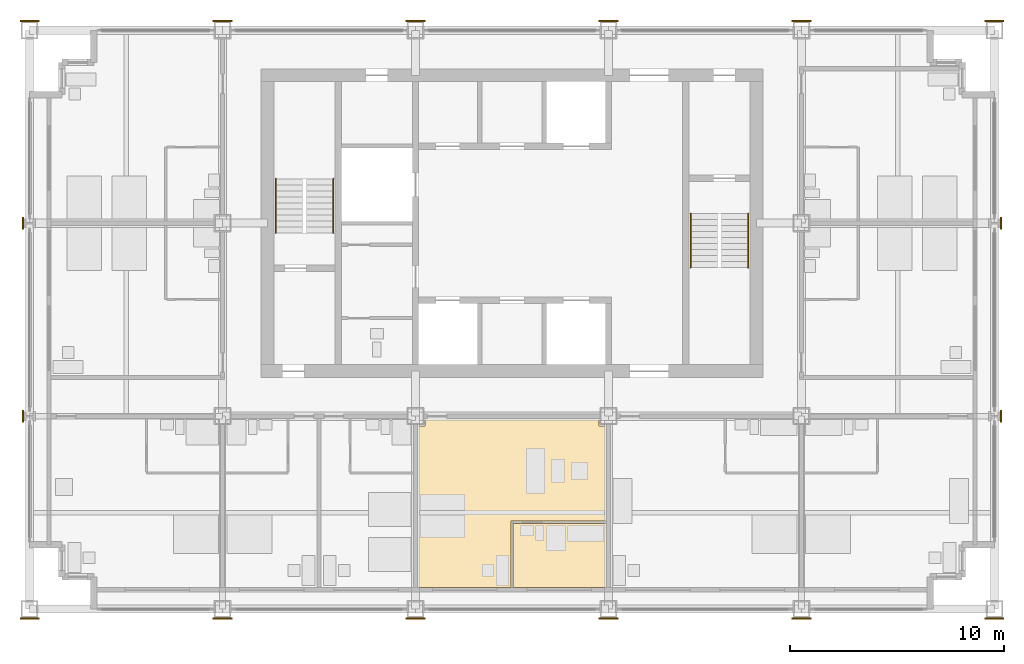
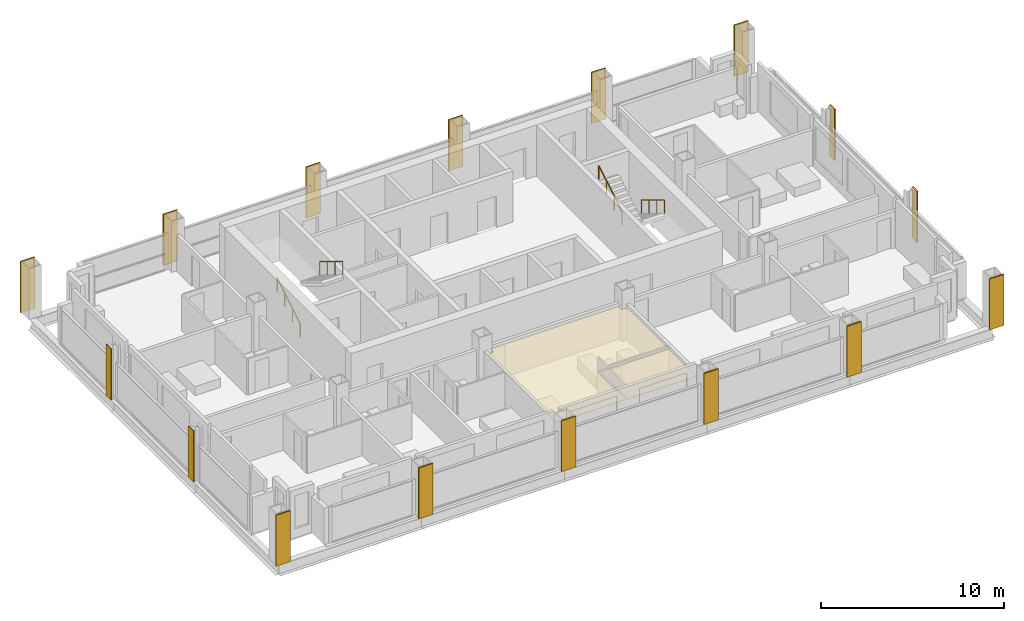
# One storey, part 11 of 13: 18 coverings, 4 railings.
"""IFC4 building model written with IfcOpenShell, lengths in metres."""

from ifc_helpers import new_model, si_unit, direction, frame, origin, origin_2d, place, context, subcontext, project, spatial, polyline, rectangle, circle, outline, extrude, material, layer, layer_set, type_object, element, save


model = new_model("IFC4")

# Units and contexts
model_context = context("Model", 3, precision=1e-05, world=origin(), true_north=direction((0.0, 1.0)))
body_context = subcontext(model_context, "Body", "Model", "MODEL_VIEW")
ifc_project = project(units=[si_unit("LENGTHUNIT", "METRE"), si_unit("AREAUNIT", "SQUARE_METRE"), si_unit("VOLUMEUNIT", "CUBIC_METRE"), si_unit("PLANEANGLEUNIT", "RADIAN"), si_unit("MASSUNIT", "GRAM", prefix="KILO")], contexts=[model_context])

# Site, building, storey
site_placement = place(None, origin())
site = spatial("IfcSite", under=ifc_project, at=site_placement, CompositionType="ELEMENT")
building_placement = place(site_placement, origin())
building = spatial("IfcBuilding", under=site, at=building_placement, Name="Loomwork Tower", CompositionType="ELEMENT")
storey_placement = place(building_placement, frame((0.0, 0.0, 184.199951171875)))
storey = spatial("IfcBuildingStorey", under=building, at=storey_placement, Name="L50", CompositionType="ELEMENT", Elevation=184.199951171875)

# Railings
ifc_material_1 = material(Name="Stainless steel handrail", Category="steel")
railing_type = type_object("IfcRailingType", Name="Handrail 900", PredefinedType="HANDRAIL", material=ifc_material_1)
railing_1_placement = place(storey_placement, frame((11.485107421875, 17.550048828125, 0.170166015625)))
element("IfcRailing", 1, at=railing_1_placement, inside=storey, type_object=railing_type, Name="Stair A handrail flight 1 L50", PredefinedType="HANDRAIL", context=body_context, shape_type="SweptSolid", body=[
    extrude(circle(Radius=0.02392578125, at=origin_2d()), frame((0.0, 0.0, 0.8759765625), z_axis=(0.0, 0.854821627497, 0.518921945155), x_axis=(-1.0, 0.0, 0.0)), (0.0, 0.0, 1.0), 2.947998046875),
    extrude(circle(Radius=0.02099609375, at=origin_2d()), origin(), (0.0, 0.0, 1.0), 0.851806640625),
    extrude(circle(Radius=0.02099609375, at=origin_2d()), frame((0.0, 0.840087890625, 0.510009765625)), (0.0, 0.0, 1.0), 0.851806640625),
    extrude(circle(Radius=0.02099609375, at=origin_2d()), frame((0.0, 1.679931640625, 1.019775390625)), (0.0, 0.0, 1.0), 0.851806640625),
    extrude(circle(Radius=0.02099609375, at=origin_2d()), frame((0.0, 2.52001953125, 1.52978515625)), (0.0, 0.0, 1.0), 0.851806640625),
])
railing_2_placement = place(storey_placement, frame((14.1650390625, 20.070068359375, 1.8701171875)))
element("IfcRailing", 2, at=railing_2_placement, inside=storey, type_object=railing_type, Name="Stair A handrail flight 2 L50", PredefinedType="HANDRAIL", context=body_context, shape_type="SweptSolid", body=[
    extrude(circle(Radius=0.02392578125, at=origin_2d()), frame((0.0, 0.0, 0.8759765625), z_axis=(0.0, -0.85478489116, 0.518982456201), x_axis=(1.0, 0.0, 0.0)), (0.0, 0.0, 1.0), 2.9482421875),
    extrude(circle(Radius=0.02099609375, at=origin_2d()), origin(), (0.0, 0.0, 1.0), 0.851806640625),
    extrude(circle(Radius=0.02099609375, at=origin_2d()), frame((0.0, -0.840087890625, 0.510009765625)), (0.0, 0.0, 1.0), 0.851806640625),
    extrude(circle(Radius=0.02099609375, at=origin_2d()), frame((0.0, -1.679931640625, 1.02001953125)), (0.0, 0.0, 1.0), 0.851806640625),
    extrude(circle(Radius=0.02099609375, at=origin_2d()), frame((0.0, -2.52001953125, 1.530029296875)), (0.0, 0.0, 1.0), 0.851806640625),
])
railing_3_placement = place(storey_placement, frame((33.514892578125, 18.449951171875, 0.170166015625)))
element("IfcRailing", 3, at=railing_3_placement, inside=storey, type_object=railing_type, Name="Stair B handrail flight 1 L50", PredefinedType="HANDRAIL", context=body_context, shape_type="SweptSolid", body=[
    extrude(circle(Radius=0.02392578125, at=origin_2d()), frame((0.0, 0.0, 0.8759765625), z_axis=(0.0, -0.854821627497, 0.518921945155), x_axis=(1.0, 0.0, 0.0)), (0.0, 0.0, 1.0), 2.947998046875),
    extrude(circle(Radius=0.02099609375, at=origin_2d()), origin(), (0.0, 0.0, 1.0), 0.851806640625),
    extrude(circle(Radius=0.02099609375, at=origin_2d()), frame((0.0, -0.840087890625, 0.510009765625)), (0.0, 0.0, 1.0), 0.851806640625),
    extrude(circle(Radius=0.02099609375, at=origin_2d()), frame((0.0, -1.679931640625, 1.019775390625)), (0.0, 0.0, 1.0), 0.851806640625),
    extrude(circle(Radius=0.02099609375, at=origin_2d()), frame((0.0, -2.52001953125, 1.52978515625)), (0.0, 0.0, 1.0), 0.851806640625),
])
railing_4_placement = place(storey_placement, frame((30.8349609375, 15.929931640625, 1.8701171875)))
element("IfcRailing", 4, at=railing_4_placement, inside=storey, type_object=railing_type, Name="Stair B handrail flight 2 L50", PredefinedType="HANDRAIL", context=body_context, shape_type="SweptSolid", body=[
    extrude(circle(Radius=0.02392578125, at=origin_2d()), frame((0.0, 0.0, 0.8759765625), z_axis=(0.0, 0.85478489116, 0.518982456201), x_axis=(-1.0, 0.0, 0.0)), (0.0, 0.0, 1.0), 2.9482421875),
    extrude(circle(Radius=0.02099609375, at=origin_2d()), origin(), (0.0, 0.0, 1.0), 0.851806640625),
    extrude(circle(Radius=0.02099609375, at=origin_2d()), frame((0.0, 0.840087890625, 0.510009765625)), (0.0, 0.0, 1.0), 0.851806640625),
    extrude(circle(Radius=0.02099609375, at=origin_2d()), frame((0.0, 1.679931640625, 1.02001953125)), (0.0, 0.0, 1.0), 0.851806640625),
    extrude(circle(Radius=0.02099609375, at=origin_2d()), frame((0.0, 2.52001953125, 1.530029296875)), (0.0, 0.0, 1.0), 0.851806640625),
])

# Coverings
ifc_material_2 = material(Name="Limestone", Category="masonry")
ifc_layer_1 = layer(ifc_material_2, 0.080078125)
ifc_layer_set_1 = layer_set([ifc_layer_1], Name="Limestone pier facing 80")
covering_type_1 = type_object("IfcCoveringType", Name="Limestone pier facing 80", PredefinedType="CLADDING", material=ifc_layer_set_1)
covering_1_placement = place(storey_placement, frame((0.0, -0.43994140625, 0.0), z_axis=(0.0, 0.0, 1.0), x_axis=(1.0, 0.0, 0.0)))
element("IfcCovering", 5, at=covering_1_placement, inside=storey, type_object=covering_type_1, Name="Pier facing D/2 L50", PredefinedType="CLADDING", context=body_context, shape_type="SweptSolid", body=[
    extrude(rectangle(XDim=0.89990234375, YDim=0.080078125, at=origin_2d()), origin(), (0.0, 0.0, 1.0), 3.39990234375),
])
for number, where, z_axis, x_axis, name in (
    (6, (-0.314208984375, 9.0, 0.0), (0.0, 0.0, 1.0), (1.0, 0.0, 0.0), "Pier facing E/2 L50"),
    (7, (-0.314208984375, 18.0, 0.0), (0.0, 0.0, 1.0), (1.0, 0.0, 0.0), "Pier facing F/2 L50"),
):
    element("IfcCovering", number, at=place(storey_placement, frame(where, z_axis=z_axis, x_axis=x_axis)), inside=storey, type_object=covering_type_1, Name=name, PredefinedType="CLADDING", context=body_context, shape_type="SweptSolid", body=[
        extrude(rectangle(XDim=0.080078125, YDim=0.549560546875, at=origin_2d()), origin(), (0.0, 0.0, 1.0), 3.39990234375),
    ])
for number, where, z_axis, x_axis, name in (
    (8, (0.0, 27.43994140625, 0.0), (0.0, 0.0, 1.0), (1.0, 0.0, 0.0), "Pier facing G/2 L50"),
    (9, (9.0, -0.43994140625, 0.0), (0.0, 0.0, 1.0), (1.0, 0.0, 0.0), "Pier facing D/3 L50"),
    (10, (9.0, 27.43994140625, 0.0), (0.0, 0.0, 1.0), (1.0, 0.0, 0.0), "Pier facing G/3 L50"),
    (11, (18.0, -0.43994140625, 0.0), (0.0, 0.0, 1.0), (1.0, 0.0, 0.0), "Pier facing D/4 L50"),
    (12, (18.0, 27.43994140625, 0.0), (0.0, 0.0, 1.0), (1.0, 0.0, 0.0), "Pier facing G/4 L50"),
    (13, (27.0, -0.43994140625, 0.0), (0.0, 0.0, 1.0), (1.0, 0.0, 0.0), "Pier facing D/5 L50"),
    (14, (27.0, 27.43994140625, 0.0), (0.0, 0.0, 1.0), (1.0, 0.0, 0.0), "Pier facing G/5 L50"),
    (15, (36.0, -0.43994140625, 0.0), (0.0, 0.0, 1.0), (1.0, 0.0, 0.0), "Pier facing D/6 L50"),
    (16, (36.0, 27.43994140625, 0.0), (0.0, 0.0, 1.0), (1.0, 0.0, 0.0), "Pier facing G/6 L50"),
    (17, (45.0, -0.43994140625, 0.0), (0.0, 0.0, 1.0), (1.0, 0.0, 0.0), "Pier facing D/7 L50"),
):
    element("IfcCovering", number, at=place(storey_placement, frame(where, z_axis=z_axis, x_axis=x_axis)), inside=storey, type_object=covering_type_1, Name=name, PredefinedType="CLADDING", context=body_context, shape_type="SweptSolid", body=[
        extrude(rectangle(XDim=0.89990234375, YDim=0.080078125, at=origin_2d()), origin(), (0.0, 0.0, 1.0), 3.39990234375),
    ])
for number, where, z_axis, x_axis, name in (
    (18, (45.314208984375, 9.0, 0.0), (0.0, 0.0, 1.0), (1.0, 0.0, 0.0), "Pier facing E/7 L50"),
    (19, (45.314208984375, 18.0, 0.0), (0.0, 0.0, 1.0), (1.0, 0.0, 0.0), "Pier facing F/7 L50"),
):
    element("IfcCovering", number, at=place(storey_placement, frame(where, z_axis=z_axis, x_axis=x_axis)), inside=storey, type_object=covering_type_1, Name=name, PredefinedType="CLADDING", context=body_context, shape_type="SweptSolid", body=[
        extrude(rectangle(XDim=0.080078125, YDim=0.549560546875, at=origin_2d()), origin(), (0.0, 0.0, 1.0), 3.39990234375),
    ])
covering_2_placement = place(storey_placement, frame((45.0, 27.43994140625, 0.0), z_axis=(0.0, 0.0, 1.0), x_axis=(1.0, 0.0, 0.0)))
element("IfcCovering", 20, at=covering_2_placement, inside=storey, type_object=covering_type_1, Name="Pier facing G/7 L50", PredefinedType="CLADDING", context=body_context, shape_type="SweptSolid", body=[
    extrude(rectangle(XDim=0.89990234375, YDim=0.080078125, at=origin_2d()), origin(), (0.0, 0.0, 1.0), 3.39990234375),
])
ifc_material_3 = material(Name="Mineral fibre acoustic tile on suspension grid")
ifc_layer_2 = layer(ifc_material_3, 0.02490234375)
ifc_layer_set_2 = layer_set([ifc_layer_2], Name="Suspended acoustic ceiling")
covering_type_2 = type_object("IfcCoveringType", Name="Suspended acoustic ceiling", PredefinedType="CEILING", material=ifc_layer_set_2)
covering_3_placement = place(storey_placement, frame((0.0, 0.0, 2.175048828125)))
element("IfcCovering", 21, at=covering_3_placement, inside=storey, type_object=covering_type_2, Name="Ceiling Spa bathroom L50", PredefinedType="CEILING", context=body_context, shape_type="SweptSolid", body=[
    extrude(outline(polyline([(26.89990234375, 4.0), (26.89990234375, 1.0), (22.550048828125, 1.0), (22.550048828125, 4.0), (26.89990234375, 4.0)])), origin(), (0.0, 0.0, 1.0), 0.02490234375),
])
covering_4_placement = place(storey_placement, frame((0.0, 0.0, 2.175048828125)))
element("IfcCovering", 22, at=covering_4_placement, inside=storey, type_object=covering_type_2, Name="Ceiling Spa suite L50", PredefinedType="CEILING", context=body_context, shape_type="SweptSolid", body=[
    extrude(outline(polyline([(26.550048828125, 8.89990234375), (26.550048828125, 8.550048828125), (26.89990234375, 8.550048828125), (26.89990234375, 4.10009765625), (22.449951171875, 4.10009765625), (22.449951171875, 1.0), (18.10009765625, 1.0), (18.10009765625, 8.550048828125), (18.449951171875, 8.550048828125), (18.449951171875, 8.89990234375), (26.550048828125, 8.89990234375)])), origin(), (0.0, 0.0, 1.0), 0.02490234375),
])

save(model, "model.ifc")
